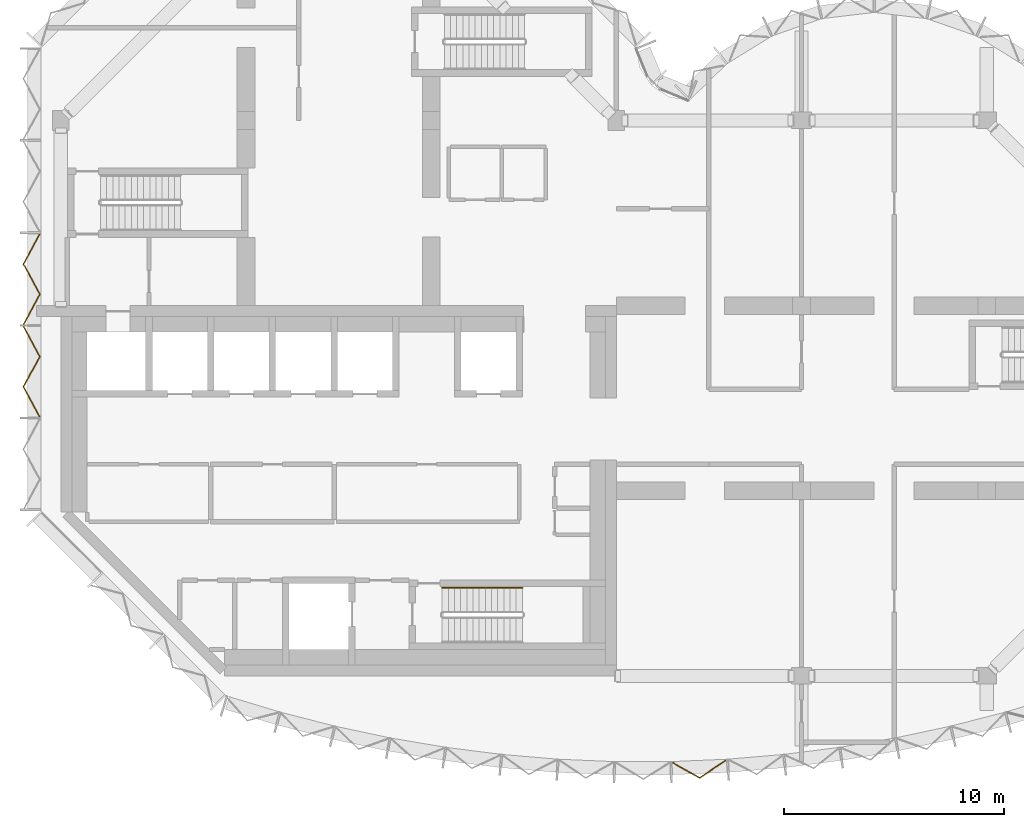
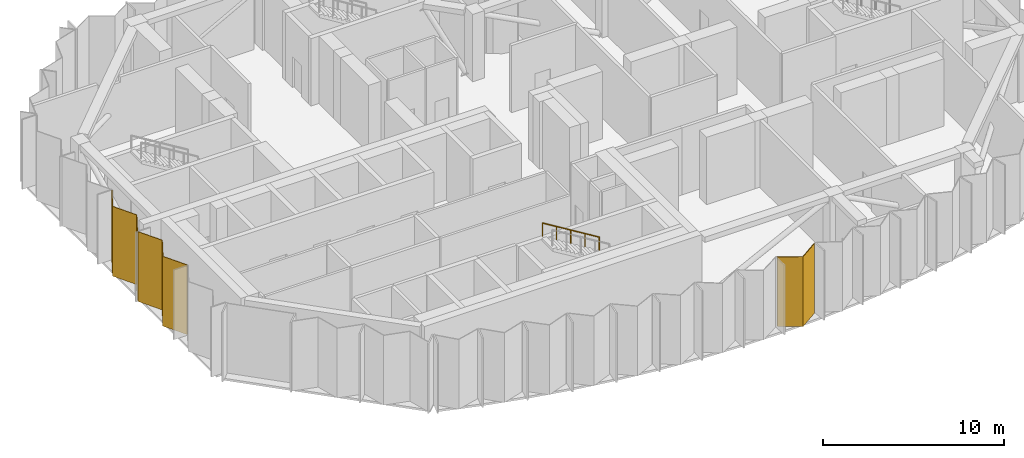
# One storey, part 9 of 13: 3 coverings, 1 railing, 2 elements without a shape of their own.
"""IFC4 building model written with IfcOpenShell, lengths in metres."""

from ifc_helpers import new_model, si_unit, direction, frame, origin, origin_2d, place, context, subcontext, project, spatial, polyline, circle, outline, extrude, material, layer, layer_set, type_object, element, aggregate, save


model = new_model("IFC4")

# Units and contexts
model_context = context("Model", 3, precision=1e-05, world=origin(), true_north=direction((0.0, 1.0)))
body_context = subcontext(model_context, "Body", "Model", "MODEL_VIEW")
ifc_project = project(units=[si_unit("LENGTHUNIT", "METRE"), si_unit("AREAUNIT", "SQUARE_METRE"), si_unit("VOLUMEUNIT", "CUBIC_METRE"), si_unit("PLANEANGLEUNIT", "RADIAN"), si_unit("MASSUNIT", "GRAM", prefix="KILO")], contexts=[model_context])

# Site, building, storey
site_placement = place(None, origin())
site = spatial("IfcSite", under=ifc_project, at=site_placement, CompositionType="ELEMENT")
building_placement = place(site_placement, origin())
building = spatial("IfcBuilding", under=site, at=building_placement, Name="Brevane Broadcast Tower", CompositionType="ELEMENT")
storey_placement = place(building_placement, frame((0.0, 0.0, 210.89990234375)))
storey = spatial("IfcBuildingStorey", under=building, at=storey_placement, Name="L53", CompositionType="ELEMENT", Elevation=210.89990234375)

# Curtain wall, covering
ifc_material_1 = material(Name="Aluminium 6063-T6 bronze anodised", Category="aluminium")
curtain_wall_type = type_object("IfcCurtainWallType", Name="CW-3 curtain wall", PredefinedType="NOTDEFINED", material=ifc_material_1)
curtain_wall_1_placement = place(storey_placement, origin())
curtain_wall_1 = element("IfcCurtainWall", 1, at=curtain_wall_1_placement, inside=storey, type_object=curtain_wall_type, Name="CW-3 refuge louvre unit L53 south bow", PredefinedType="NOTDEFINED")
ifc_material_2 = material(Name="Aluminium bronze anodised cladding", Category="aluminium")
ifc_layer = layer(ifc_material_2, 0.050048828125)
ifc_layer_set = layer_set([ifc_layer], Name="CW refuge spandrel 50")
covering_type = type_object("IfcCoveringType", Name="CW refuge spandrel 50", PredefinedType="CLADDING", material=ifc_layer_set)
covering_1_placement = place(storey_placement, frame((0.0, 0.0, -0.159912109375)))
covering_1 = element("IfcCovering", 2, at=covering_1_placement, type_object=covering_type, Name="Refuge cladding panel", PredefinedType="CLADDING", context=body_context, shape_type="SweptSolid", body=[
    extrude(outline(polyline([(27.750732421875, -3.908935546875), (27.751708984375, -3.95556640625), (28.98388671875, -4.648681640625), (30.16650390625, -3.85205078125), (30.163330078125, -3.805908203125), (28.98193359375, -4.601806640625), (27.750732421875, -3.908935546875)])), origin(), (0.0, 0.0, 1.0), 4.7099609375),
])
aggregate(curtain_wall_1, [covering_1])

# Curtain wall, coverings
curtain_wall_2_placement = place(storey_placement, origin())
curtain_wall_2 = element("IfcCurtainWall", 3, at=curtain_wall_2_placement, inside=storey, type_object=curtain_wall_type, Name="CW-3 refuge louvre unit L53 west face", PredefinedType="NOTDEFINED")
covering_2_placement = place(storey_placement, frame((0.0, 0.0, -0.159912109375)))
covering_2 = element("IfcCovering", 4, at=covering_2_placement, type_object=covering_type, Name="Refuge cladding panel", PredefinedType="CLADDING", context=body_context, shape_type="SweptSolid", body=[
    extrude(outline(polyline([(-0.92724609375, 20.06005859375), (-0.97265625, 20.06005859375), (-1.717041015625, 18.686767578125), (-0.97265625, 17.313232421875), (-1.717041015625, 15.93994140625), (-1.671630859375, 15.93994140625), (-0.92724609375, 17.313232421875), (-1.671630859375, 18.686767578125), (-0.92724609375, 20.06005859375)])), origin(), (0.0, 0.0, 1.0), 4.7099609375),
])
covering_3_placement = place(storey_placement, frame((0.0, 0.0, -0.159912109375)))
covering_3 = element("IfcCovering", 5, at=covering_3_placement, type_object=covering_type, Name="Refuge cladding panel", PredefinedType="CLADDING", context=body_context, shape_type="SweptSolid", body=[
    extrude(outline(polyline([(-1.671630859375, 15.860107421875), (-1.717041015625, 15.860107421875), (-0.97265625, 14.48681640625), (-1.717041015625, 13.11328125), (-0.97265625, 11.739990234375), (-0.92724609375, 11.739990234375), (-1.671630859375, 13.11328125), (-0.92724609375, 14.48681640625), (-1.671630859375, 15.860107421875)])), origin(), (0.0, 0.0, 1.0), 4.7099609375),
])
aggregate(curtain_wall_2, [covering_2, covering_3])

# Railing
ifc_material_3 = material(Name="Steel S355", Category="steel")
railing_type = type_object("IfcRailingType", Name="Exit stair handrail", PredefinedType="HANDRAIL", material=ifc_material_3)
railing_placement = place(storey_placement, frame((20.93994140625, 4.0, 2.571533203125)))
element("IfcRailing", 6, at=railing_placement, inside=storey, type_object=railing_type, Name="L53 ST-2 stair handrail 2", PredefinedType="HANDRAIL", context=body_context, shape_type="SweptSolid", body=[
    extrude(circle(Radius=0.02392578125, at=origin_2d()), frame((0.0, 0.0, 0.8759765625), z_axis=(-0.852850264322, 0.0, 0.5221555579), x_axis=(0.0, -1.0, 0.0)), (0.0, 0.0, 1.0), 4.267822265625),
    extrude(circle(Radius=0.02099609375, at=origin_2d()), origin(), (0.0, 0.0, 1.0), 0.851806640625),
    extrude(circle(Radius=0.02099609375, at=origin_2d()), frame((-0.909912109375, 0.0, 0.55712890625)), (0.0, 0.0, 1.0), 0.851806640625),
    extrude(circle(Radius=0.02099609375, at=origin_2d()), frame((-1.81982421875, 0.0, 1.1142578125)), (0.0, 0.0, 1.0), 0.851806640625),
    extrude(circle(Radius=0.02099609375, at=origin_2d()), frame((-2.72998046875, 0.0, 1.67138671875)), (0.0, 0.0, 1.0), 0.851806640625),
    extrude(circle(Radius=0.02099609375, at=origin_2d()), frame((-3.639892578125, 0.0, 2.228515625)), (0.0, 0.0, 1.0), 0.851806640625),
])

save(model, "model.ifc")
